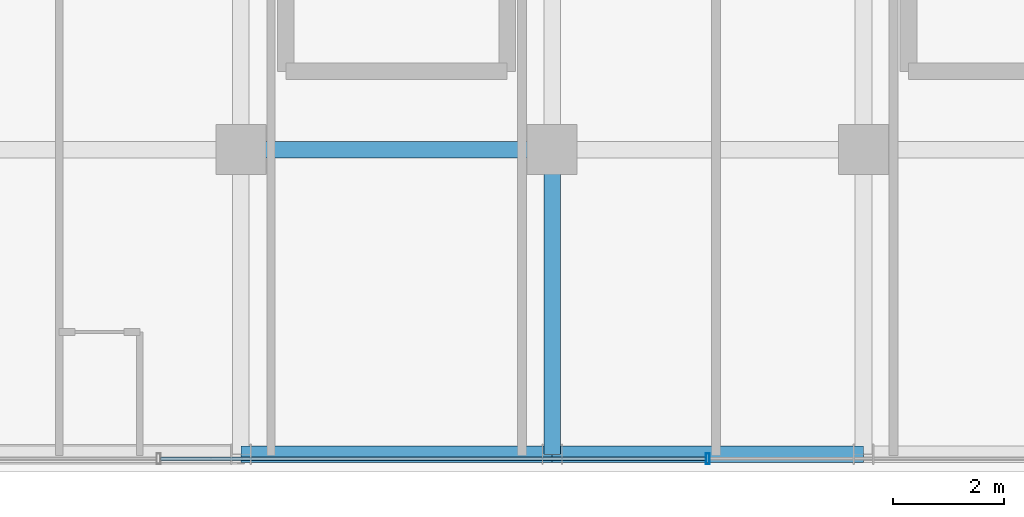
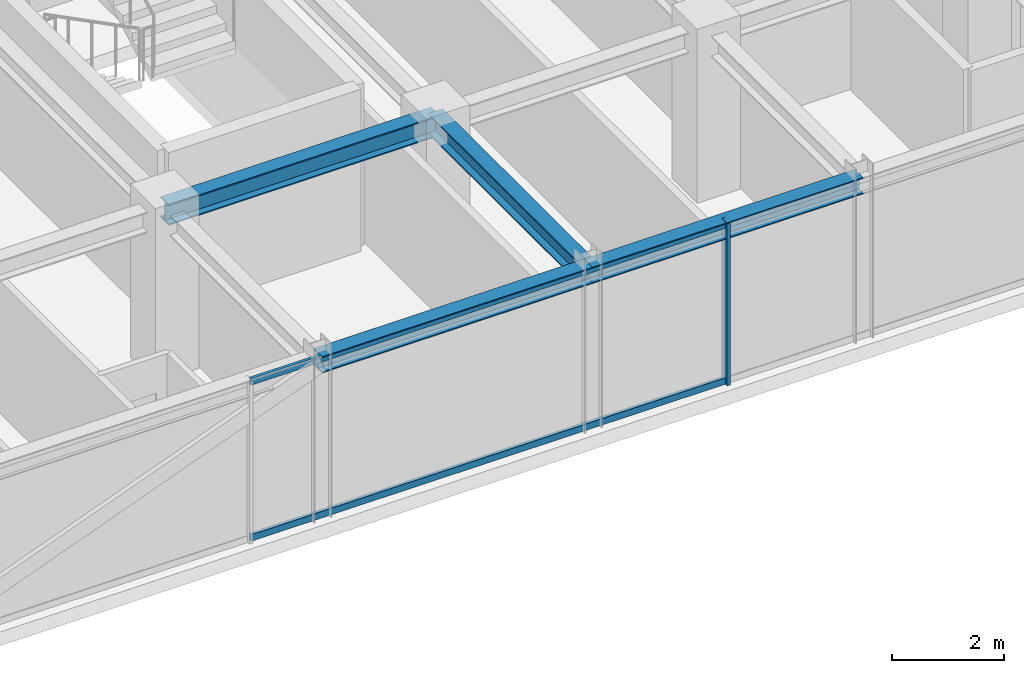
# One storey, part 8 of 41: 4 beams, 3 members, 1 element without a shape of its own.
"""IFC4 building model written with IfcOpenShell, lengths in metres."""

import ifcopenshell
import ifcopenshell.guid

model = None  # the IFC model being written
_history = None  # IfcOwnerHistory: only IFC2X3 demands one
_inside = {}  # id of a spatial element -> (the spatial element, [elements in it])
_under = {}  # id of a project, library or spatial element -> (it, [spatial elements below it])
_declared = {}  # id of a project -> (the project, [libraries it declares])
_typed = {}  # id of a type object -> (the type object, [elements of that type])
_made_of = {}  # id of a material, layer set ... -> (it, [elements and type objects made of it])


def new_model(schema):
    """Start an empty IFC model of exactly this schema.

    Asked for "IFC4X3", IfcOpenShell would pick the latest addendum, in which some entities
    have other attributes; the version numbers below select the first issue.
    IFC2X3 requires an IfcOwnerHistory on every rooted entity: one is made here for all.
    """
    global model, _history
    if schema == "IFC4X3":
        model = ifcopenshell.file(schema_version=(4, 3, 0, 0))
    else:
        model = ifcopenshell.file(schema=schema)
    _inside.clear()
    _under.clear()
    _declared.clear()
    _typed.clear()
    _made_of.clear()
    _history = None
    if model.schema == "IFC2X3":
        org = make("IfcOrganization", Name="unknown")
        user = make(
            "IfcPersonAndOrganization",
            ThePerson=make("IfcPerson", FamilyName="unknown"),
            TheOrganization=org,
        )
        app = make(
            "IfcApplication",
            ApplicationDeveloper=org,
            Version="unknown",
            ApplicationFullName="unknown",
            ApplicationIdentifier="unknown",
        )
        _history = make(
            "IfcOwnerHistory",
            OwningUser=user,
            OwningApplication=app,
            ChangeAction="ADDED",
            CreationDate=0,
        )
    return model


def make(cls, **values):
    """One entity of the class cls with the attributes given. An attribute that is None is left unset."""
    return model.create_entity(
        cls, **{name: value for name, value in values.items() if value is not None}
    )


def rooted(cls, **values):
    """An entity with a GlobalId (a new one), such as an element, a storey or a relation."""
    return make(cls, GlobalId=ifcopenshell.guid.new(), OwnerHistory=_history, **values)


def si_unit(unit_type, name, prefix=None):
    """IfcSIUnit, for example si_unit("LENGTHUNIT", "METRE", prefix="MILLI")."""
    return make("IfcSIUnit", UnitType=unit_type, Prefix=prefix, Name=name)


def assignment(units):
    """IfcUnitAssignment: the units of a project."""
    return None if units is None else make("IfcUnitAssignment", Units=units)


def point(xyz):
    """IfcCartesianPoint."""
    return None if xyz is None else make("IfcCartesianPoint", Coordinates=xyz)


def direction(xyz):
    """IfcDirection."""
    return None if xyz is None else make("IfcDirection", DirectionRatios=xyz)


def frame(location, z_axis=None, x_axis=None):
    """IfcAxis2Placement3D, a coordinate frame: its origin and axes. An axis left out is left unset."""
    return make(
        "IfcAxis2Placement3D",
        Location=point(location),
        Axis=direction(z_axis),
        RefDirection=direction(x_axis),
    )


def frame_2d(location, x_axis=None):
    """IfcAxis2Placement2D, a coordinate frame in the plane: its origin and x axis."""
    return make(
        "IfcAxis2Placement2D", Location=point(location), RefDirection=direction(x_axis)
    )


def origin():
    """The frame at (0, 0, 0) with its axes left unset."""
    return frame((0.0, 0.0, 0.0))


def origin_2d():
    """The frame at (0, 0) in the plane with its x axis left unset."""
    return frame_2d((0.0, 0.0))


def place(relative_to, where):
    """IfcLocalPlacement: puts the frame where relative to a parent placement (None: the world)."""
    return make(
        "IfcLocalPlacement", PlacementRelTo=relative_to, RelativePlacement=where
    )


def context(
    kind, dimensions, precision=None, world=None, true_north=None, identifier=None
):
    """IfcGeometricRepresentationContext, for example the 3D "Model" context."""
    return make(
        "IfcGeometricRepresentationContext",
        ContextIdentifier=identifier,
        ContextType=kind,
        CoordinateSpaceDimension=dimensions,
        Precision=precision,
        WorldCoordinateSystem=world,
        TrueNorth=true_north,
    )


def subcontext(parent, identifier, kind, view, scale=None):
    """IfcGeometricRepresentationSubContext, for example "Body" below "Model"."""
    return make(
        "IfcGeometricRepresentationSubContext",
        ContextIdentifier=identifier,
        ContextType=kind,
        ParentContext=parent,
        TargetScale=scale,
        TargetView=view,
    )


def project(units=None, contexts=None):
    """IfcProject with its units and contexts."""
    return rooted(
        "IfcProject",
        Name="project",
        RepresentationContexts=contexts,
        UnitsInContext=assignment(units),
    )


def spatial(cls, under=None, at=None, **own):
    """A site, building, storey or space (cls), placed at a placement, below another one or the project."""
    s = rooted(cls, ObjectPlacement=at, **own)
    if under is not None:
        _under.setdefault(under.id(), (under, []))[1].append(s)
    return s


def profile(cls, at=None, kind="AREA", **sizes):
    """A parametric profile (cls). Its sizes go by their IFC names, for example OverallWidth=200.0."""
    return make(cls, ProfileType=kind, Position=at, **sizes)


def hollow_rectangle(**sizes):
    """IfcRectangleHollowProfileDef."""
    return profile("IfcRectangleHollowProfileDef", **sizes)


def i_section(**sizes):
    """IfcIShapeProfileDef."""
    return profile("IfcIShapeProfileDef", **sizes)


def extrude(swept, where, along, depth):
    """IfcExtrudedAreaSolid: the profile swept, set in the frame where, extruded along a direction by depth."""
    return make(
        "IfcExtrudedAreaSolid",
        SweptArea=swept,
        Position=where,
        ExtrudedDirection=direction(along),
        Depth=depth,
    )


def shape(context_of_items, identifier, shape_type, items):
    """IfcShapeRepresentation: the items that make up one representation, for example the "Body"."""
    return make(
        "IfcShapeRepresentation",
        ContextOfItems=context_of_items,
        RepresentationIdentifier=identifier,
        RepresentationType=shape_type,
        Items=items,
    )


def source(mapping_origin, context_of_items, identifier, shape_type, items):
    """IfcRepresentationMap: a shape defined once, which mapped items show again and again."""
    return make(
        "IfcRepresentationMap",
        MappingOrigin=mapping_origin,
        MappedRepresentation=shape(context_of_items, identifier, shape_type, items),
    )


def transform(
    local_origin,
    x_axis=None,
    y_axis=None,
    z_axis=None,
    scale=None,
    scale2=None,
    scale3=None,
    uniform=True,
):
    """IfcCartesianTransformationOperator3D, or its non-uniform kind. x_axis, y_axis, z_axis: its Axis1, 2, 3."""
    if uniform:
        return make(
            "IfcCartesianTransformationOperator3D",
            Axis1=direction(x_axis),
            Axis2=direction(y_axis),
            LocalOrigin=point(local_origin),
            Scale=scale,
            Axis3=direction(z_axis),
        )
    return make(
        "IfcCartesianTransformationOperator3DnonUniform",
        Axis1=direction(x_axis),
        Axis2=direction(y_axis),
        LocalOrigin=point(local_origin),
        Scale=scale,
        Axis3=direction(z_axis),
        Scale2=scale2,
        Scale3=scale3,
    )


def mapped(mapping_source, mapping_target):
    """IfcMappedItem: shows the shape of a source again, moved by a transform."""
    return make(
        "IfcMappedItem", MappingSource=mapping_source, MappingTarget=mapping_target
    )


def material(Name=None, Category=None):
    """IfcMaterial."""
    return make("IfcMaterial", Name=Name, Category=Category)


def material_profile(
    of_material, cross_section, Name=None, Category=None, Priority=None
):
    """IfcMaterialProfile: a cross section and its material."""
    return make(
        "IfcMaterialProfile",
        Name=Name,
        Material=of_material,
        Profile=cross_section,
        Priority=Priority,
        Category=Category,
    )


def profile_set(profiles, Name=None, composite=None):
    """IfcMaterialProfileSet."""
    return make(
        "IfcMaterialProfileSet",
        Name=Name,
        MaterialProfiles=profiles,
        CompositeProfile=composite,
    )


def made_of(thing, what):
    """Note that an element or type object is made of a material, layer set ...; save() writes the relation."""
    if what is not None:
        _made_of.setdefault(what.id(), (what, []))[1].append(thing)
    return thing


def type_object(cls, material=None, **own):
    """A type object (cls), such as IfcWallType, which elements share."""
    return made_of(rooted(cls, **own), material)


def element(
    cls,
    number,
    at=None,
    inside=None,
    cuts=None,
    type_object=None,
    material=None,
    context=None,
    identifier="Body",
    shape_type=None,
    held_by="IfcProductDefinitionShape",
    body=None,
    shapes=None,
    **own,
):
    """One element of the class cls, such as IfcWall. Its Tag is "e" and its number.

    at: its placement. inside: the storey or other place that contains it. cuts: it is an
    opening in that element (IfcRelVoidsElement). A single representation is given by context,
    identifier, shape_type and body (its items); several are given by shapes. held_by: the class
    of the entity that holds the representations. save() writes the other relations.
    """
    e = rooted(cls, Tag="e%d" % number, ObjectPlacement=at, **own)
    if body is not None:
        shapes = [shape(context, identifier, shape_type, body)]
    if shapes is not None:
        e.Representation = make(held_by, Representations=shapes)
    if inside is not None:
        _inside.setdefault(inside.id(), (inside, []))[1].append(e)
    if cuts is not None:
        rooted(
            "IfcRelVoidsElement", RelatingBuildingElement=cuts, RelatedOpeningElement=e
        )
    if type_object is not None:
        _typed.setdefault(type_object.id(), (type_object, []))[1].append(e)
    return made_of(e, material)


def aggregate(whole, parts):
    """IfcRelAggregates: a whole, such as a stair, and the parts it consists of."""
    return rooted("IfcRelAggregates", RelatingObject=whole, RelatedObjects=parts)


def save(model, path):
    """Write the relations noted so far, then the file.

    IfcRelAggregates (storeys below a building ...), IfcRelContainedInSpatialStructure (elements
    in a storey), IfcRelDefinesByType, IfcRelAssociatesMaterial and IfcRelDeclares: one each for
    every whole, place, type object, material and project.
    """
    for whole, parts in _under.values():
        aggregate(whole, parts)
    for where, things in _inside.values():
        rooted(
            "IfcRelContainedInSpatialStructure",
            RelatedElements=things,
            RelatingStructure=where,
        )
    for kind, things in _typed.values():
        rooted("IfcRelDefinesByType", RelatedObjects=things, RelatingType=kind)
    for what, things in _made_of.values():
        rooted("IfcRelAssociatesMaterial", RelatedObjects=things, RelatingMaterial=what)
    for by, libraries in _declared.values():
        rooted("IfcRelDeclares", RelatingContext=by, RelatedDefinitions=libraries)
    model.write(path)


model = new_model("IFC4")

# Units and contexts
model_context = context("Model", 3, precision=1e-05, world=origin(), true_north=direction((0.0, 1.0)))
body_context = subcontext(model_context, "Body", "Model", "MODEL_VIEW")
ifc_project = project(units=[si_unit("LENGTHUNIT", "METRE"), si_unit("AREAUNIT", "SQUARE_METRE"), si_unit("VOLUMEUNIT", "CUBIC_METRE"), si_unit("PLANEANGLEUNIT", "RADIAN"), si_unit("MASSUNIT", "GRAM", prefix="KILO")], contexts=[model_context])

# Site, building, storey
site_placement = place(None, origin())
site = spatial("IfcSite", under=ifc_project, at=site_placement, CompositionType="ELEMENT")
building_placement = place(site_placement, origin())
building = spatial("IfcBuilding", under=site, at=building_placement, Name="Nahalor Promenade Grand Hotel", CompositionType="ELEMENT")
storey_placement = place(building_placement, frame((0.0, 0.0, 304.199951171875)))
storey = spatial("IfcBuildingStorey", under=building, at=storey_placement, Name="L78", CompositionType="ELEMENT", Elevation=304.199951171875)

# Beams
ifc_material_1 = material(Name="Steel S355JR", Category="steel")
ifc_material_profile_1 = material_profile(ifc_material_1, i_section(OverallWidth=0.3, OverallDepth=0.45, WebThickness=0.014, FlangeThickness=0.026, at=origin_2d()), Name="HEB 450")
ifc_profile_set_1 = profile_set([ifc_material_profile_1], Name="Steel S355JR")
beam_type_1 = type_object("IfcBeamType", Name="Beam-Girder-HEB450", PredefinedType="BEAM", material=ifc_profile_set_1)
shared_shape_1 = source(origin(), body_context, "Body", "SweptSolid", [
    extrude(i_section(OverallWidth=0.3, OverallDepth=0.45, WebThickness=0.014, FlangeThickness=0.026, at=origin_2d()), origin(), (0.0, 0.0, 1.0), 5.599853515625),
])
beam_1_placement = place(storey_placement, frame((-8.39990234375, -17.0, 3.324951171875), z_axis=(1.0, 0.0, 0.0), x_axis=(0.0, 1.0, 0.0)))
element("IfcBeam", 1, at=beam_1_placement, inside=storey, type_object=beam_type_1, Name="BM-L78-GX-0-2", PredefinedType="BEAM", context=body_context, shape_type="MappedRepresentation", body=[
    mapped(shared_shape_1, transform((0.0, 0.0, 0.0), scale=1.0)),
])
shared_shape_2 = source(origin(), body_context, "Body", "SweptSolid", [
    extrude(i_section(OverallWidth=0.3, OverallDepth=0.45, WebThickness=0.014, FlangeThickness=0.026, at=origin_2d()), origin(), (0.0, 0.0, 1.0), 5.47998046875),
])
beam_2_placement = place(storey_placement, frame((-2.800048828125, -22.47998046875, 3.324951171875), z_axis=(0.0, 1.0, 0.0), x_axis=(-1.0, 0.0, 0.0)))
element("IfcBeam", 2, at=beam_2_placement, inside=storey, type_object=beam_type_1, Name="BM-L78-GY-2-0", PredefinedType="BEAM", context=body_context, shape_type="MappedRepresentation", body=[
    mapped(shared_shape_2, transform((0.0, 0.0, 0.0), scale=1.0)),
])
ifc_material_profile_2 = material_profile(ifc_material_1, i_section(OverallWidth=0.3, OverallDepth=0.36, WebThickness=0.0125, FlangeThickness=0.0225, at=origin_2d()), Name="HEB 360")
ifc_profile_set_2 = profile_set([ifc_material_profile_2], Name="Steel S355JR")
beam_type_2 = type_object("IfcBeamType", Name="Beam-Spandrel-HEB360", PredefinedType="SPANDREL", material=ifc_profile_set_2)
shared_shape_3 = source(origin(), body_context, "Body", "SweptSolid", [
    extrude(i_section(OverallWidth=0.3, OverallDepth=0.36, WebThickness=0.0125, FlangeThickness=0.0225, at=origin_2d()), origin(), (0.0, 0.0, 1.0), 5.599853515625),
])
beam_3_placement = place(storey_placement, frame((-8.39990234375, -22.47998046875, 3.3701171875), z_axis=(1.0, 0.0, 0.0), x_axis=(0.0, 1.0, 0.0)))
element("IfcBeam", 3, at=beam_3_placement, inside=storey, type_object=beam_type_2, Name="BM-L78-SP-S-1", PredefinedType="SPANDREL", context=body_context, shape_type="MappedRepresentation", body=[
    mapped(shared_shape_3, transform((0.0, 0.0, 0.0), scale=1.0)),
])
shared_shape_4 = source(origin(), body_context, "Body", "SweptSolid", [
    extrude(i_section(OverallWidth=0.3, OverallDepth=0.36, WebThickness=0.0125, FlangeThickness=0.0225, at=origin_2d()), origin(), (0.0, 0.0, 1.0), 5.60009765625),
])
beam_4_placement = place(storey_placement, frame((-2.800048828125, -22.47998046875, 3.3701171875), z_axis=(1.0, 0.0, 0.0), x_axis=(0.0, 1.0, 0.0)))
element("IfcBeam", 4, at=beam_4_placement, inside=storey, type_object=beam_type_2, Name="BM-L78-SP-S-2", PredefinedType="SPANDREL", context=body_context, shape_type="MappedRepresentation", body=[
    mapped(shared_shape_4, transform((0.0, 0.0, 0.0), scale=1.0)),
])

# Curtain wall, members
ifc_material_2 = material(Name="Anodised Bronze Aluminium EN AW-6063 T6", Category="aluminium")
curtain_wall_type = type_object("IfcCurtainWallType", Name="CW3 Elliptical-Void Collar Unitised Curtain Wall", PredefinedType="USERDEFINED", material=ifc_material_2)
curtain_wall_placement = place(storey_placement, origin())
curtain_wall = element("IfcCurtainWall", 5, at=curtain_wall_placement, inside=storey, type_object=curtain_wall_type, Name="L78 Curtain Wall CW-L78-S-1", ObjectType="UNITISED_CURTAIN_WALL", PredefinedType="USERDEFINED")
ifc_material_profile_3 = material_profile(ifc_material_2, hollow_rectangle(XDim=0.07, YDim=0.14, WallThickness=0.004, at=origin_2d()), Name="CWT 70x140x4")
ifc_profile_set_3 = profile_set([ifc_material_profile_3], Name="Anodised Bronze Aluminium EN AW-6063 T6")
member_type_1 = type_object("IfcMemberType", Name="CWT3 Void Collar Transom 70x140", PredefinedType="USERDEFINED", material=ifc_profile_set_3)
shared_shape_5 = source(origin(), body_context, "Body", "SweptSolid", [
    extrude(hollow_rectangle(XDim=0.07, YDim=0.14, WallThickness=0.004, at=origin_2d()), origin(), (0.0, 0.0, 1.0), 9.81005859375),
])
member_1_placement = place(storey_placement, frame((-9.844970703125, -22.56005859375, 0.070068359375), z_axis=(1.0, 0.0, 0.0), x_axis=(0.0, 1.0, 0.0)))
member_1 = element("IfcMember", 6, at=member_1_placement, type_object=member_type_1, Name="CW-L78-S-1 Transom 1-0", ObjectType="TRANSOM", PredefinedType="USERDEFINED", context=body_context, shape_type="MappedRepresentation", body=[
    mapped(shared_shape_5, transform((0.0, 0.0, 0.0), scale=1.0)),
])
member_2_placement = place(storey_placement, frame((-9.844970703125, -22.56005859375, 3.47998046875), z_axis=(1.0, 0.0, 0.0), x_axis=(0.0, 1.0, 0.0)))
member_2 = element("IfcMember", 7, at=member_2_placement, type_object=member_type_1, Name="CW-L78-S-1 Transom 1-1", ObjectType="TRANSOM", PredefinedType="USERDEFINED", context=body_context, shape_type="MappedRepresentation", body=[
    mapped(shared_shape_5, transform((0.0, 0.0, 0.0), scale=1.0)),
])
ifc_material_profile_4 = material_profile(ifc_material_2, hollow_rectangle(XDim=0.07, YDim=0.2, WallThickness=0.005, at=origin_2d()), Name="CWM 70x200x5")
ifc_profile_set_4 = profile_set([ifc_material_profile_4], Name="Anodised Bronze Aluminium EN AW-6063 T6")
member_type_2 = type_object("IfcMemberType", Name="CWM3 Void Collar Mullion 70x200", PredefinedType="MULLION", material=ifc_profile_set_4)
shared_shape_6 = source(origin(), body_context, "Body", "SweptSolid", [
    extrude(hollow_rectangle(XDim=0.07, YDim=0.2, WallThickness=0.005, at=origin_2d()), origin(), (0.0, 0.0, 1.0), 3.550048828125),
])
member_3_placement = place(storey_placement, frame((0.0, -22.56005859375, 0.0), z_axis=(0.0, 0.0, 1.0), x_axis=(1.0, 0.0, 0.0)))
member_3 = element("IfcMember", 8, at=member_3_placement, type_object=member_type_2, Name="CW-L78-S-1 Mullion 2", PredefinedType="MULLION", context=body_context, shape_type="MappedRepresentation", body=[
    mapped(shared_shape_6, transform((0.0, 0.0, 0.0), scale=1.0)),
])
aggregate(curtain_wall, [member_3, member_1, member_2])

save(model, "model.ifc")
